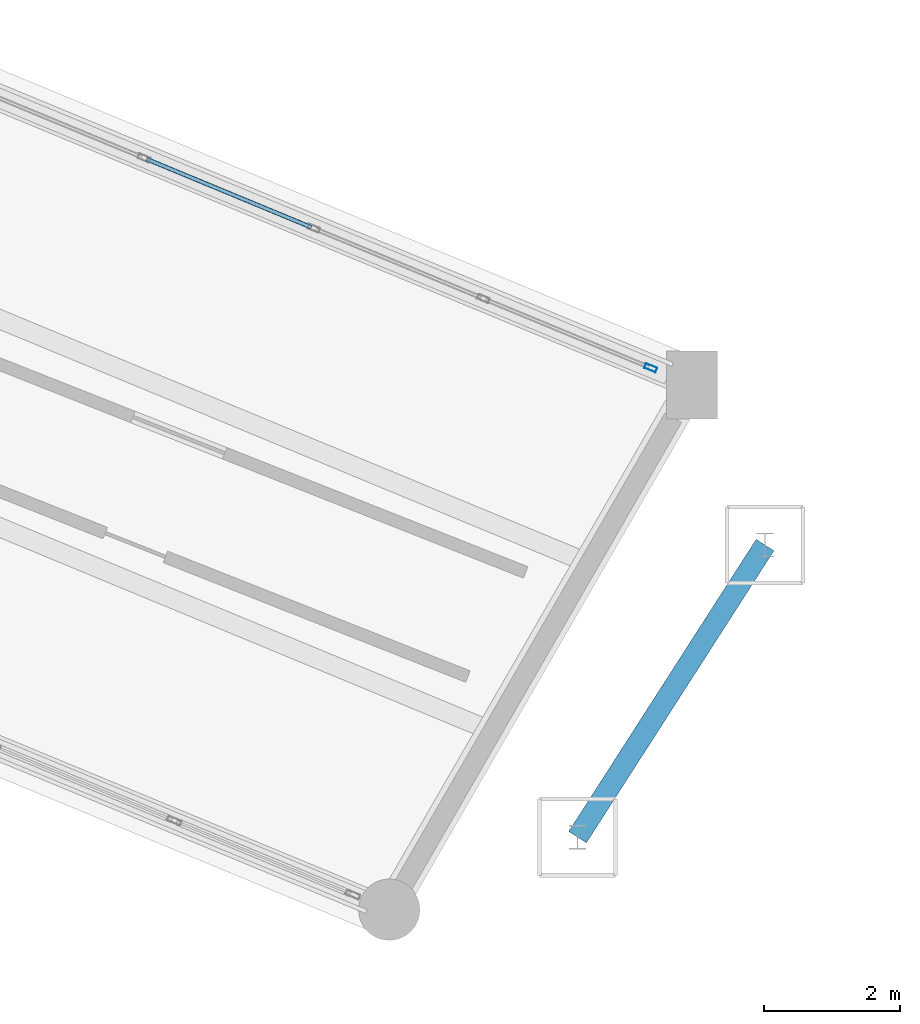
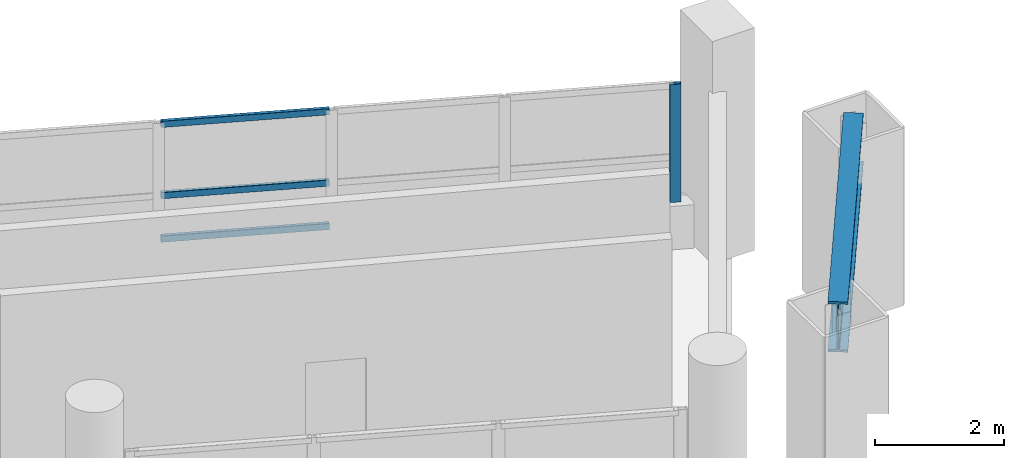
# One storey, part 72 of 128: 4 members, 1 beam, 1 element without a shape of its own.
"""IFC4 building model written with IfcOpenShell, lengths in metres."""

from ifc_helpers import new_model, si_unit, direction, frame, origin, origin_2d, place, context, subcontext, project, spatial, hollow_rectangle, i_section, extrude, material, layer, layer_set, material_profile, profile_set, type_object, element, aggregate, save


model = new_model("IFC4")

# Units and contexts
model_context = context("Model", 3, precision=1e-05, world=origin(), true_north=direction((0.0, 1.0)))
body_context = subcontext(model_context, "Body", "Model", "MODEL_VIEW")
ifc_project = project(units=[si_unit("LENGTHUNIT", "METRE"), si_unit("AREAUNIT", "SQUARE_METRE"), si_unit("VOLUMEUNIT", "CUBIC_METRE"), si_unit("PLANEANGLEUNIT", "RADIAN"), si_unit("MASSUNIT", "GRAM", prefix="KILO")], contexts=[model_context])

# Site, building, storey
site_placement = place(None, origin())
site = spatial("IfcSite", under=ifc_project, at=site_placement, CompositionType="ELEMENT")
building_placement = place(site_placement, origin())
building = spatial("IfcBuilding", under=site, at=building_placement, Name="Vespera Passage Community Centre", CompositionType="ELEMENT")
storey_placement = place(building_placement, frame((0.0, 0.0, 4.5)))
storey = spatial("IfcBuildingStorey", under=building, at=storey_placement, Name="L01", CompositionType="ELEMENT", Elevation=4.5)

# Curtain wall, members
ifc_material_1 = material(Name="Anodized aluminium 6063-T6", Category="aluminium")
ifc_layer = layer(ifc_material_1, 0.159912109375)
ifc_layer_set = layer_set([ifc_layer], Name="Anodized aluminium 6063-T6")
curtain_wall_type = type_object("IfcCurtainWallType", Name="CW-11E", PredefinedType="NOTDEFINED", material=ifc_layer_set)
curtain_wall_placement = place(storey_placement, origin())
curtain_wall = element("IfcCurtainWall", 1, at=curtain_wall_placement, inside=storey, type_object=curtain_wall_type, Name="V4 L01 Outer Ribbon Curtain Wall 4", PredefinedType="NOTDEFINED")
ifc_material_2 = material(Name="Anodized aluminium 6063-T6", Category="aluminium")
ifc_material_profile_1 = material_profile(ifc_material_2, hollow_rectangle(XDim=0.074951171875, YDim=0.179931640625, WallThickness=0.0048828125, InnerFilletRadius=0.00244140625, OuterFilletRadius=0.0048828125, at=origin_2d()), Name="ALU180X75X5")
ifc_profile_set_1 = profile_set([ifc_material_profile_1], Name="Anodized aluminium 6063-T6")
member_type_1 = type_object("IfcMemberType", Name="MB-CWM-180E", PredefinedType="MULLION", material=ifc_profile_set_1)
member_1_placement = place(storey_placement, frame((100.441650390625, 105.67578125, 0.820068359375), z_axis=(0.0, 0.0, 1.0), x_axis=(0.382682936255, 0.923879738007, 0.0)))
member_1 = element("IfcMember", 2, at=member_1_placement, type_object=member_type_1, Name="CW-11E mullion 5", PredefinedType="MULLION", context=body_context, shape_type="SweptSolid", body=[
    extrude(hollow_rectangle(XDim=0.074951171875, YDim=0.179931640625, WallThickness=0.0048828125, InnerFilletRadius=0.00244140625, OuterFilletRadius=0.0048828125, at=origin_2d()), origin(), (0.0, 0.0, 1.0), 2.2255859375),
])
ifc_material_3 = material(Name="Anodized aluminium 6063-T6", Category="aluminium")
ifc_material_profile_2 = material_profile(ifc_material_3, hollow_rectangle(XDim=0.06005859375, YDim=0.1201171875, WallThickness=0.00390625, InnerFilletRadius=0.001953125, OuterFilletRadius=0.00390625, at=origin_2d()), Name="ALU120X60X4")
ifc_profile_set_2 = profile_set([ifc_material_profile_2], Name="Anodized aluminium 6063-T6")
member_type_2 = type_object("IfcMemberType", Name="MB-CWT-120E", PredefinedType="USERDEFINED", material=ifc_profile_set_2)
member_2_placement = place(storey_placement, frame((93.03271484375, 108.74462890625, 0.85009765625), z_axis=(0.92389545334, -0.382644993822, 0.0), x_axis=(0.382644993822, 0.92389545334, 0.0)))
member_2 = element("IfcMember", 3, at=member_2_placement, type_object=member_type_2, Name="CW-11E transom 2.1", ObjectType="TRANSOM", PredefinedType="USERDEFINED", context=body_context, shape_type="SweptSolid", body=[
    extrude(hollow_rectangle(XDim=0.06005859375, YDim=0.1201171875, WallThickness=0.00390625, InnerFilletRadius=0.001953125, OuterFilletRadius=0.00390625, at=origin_2d()), origin(), (0.0, 0.0, 1.0), 2.623046875),
])
member_3_placement = place(storey_placement, frame((93.03271484375, 108.74462890625, 1.669921875), z_axis=(0.92389545334, -0.382644993822, 0.0), x_axis=(0.382644993822, 0.92389545334, 0.0)))
member_3 = element("IfcMember", 4, at=member_3_placement, type_object=member_type_2, Name="CW-11E transom 2.2", ObjectType="TRANSOM", PredefinedType="USERDEFINED", context=body_context, shape_type="SweptSolid", body=[
    extrude(hollow_rectangle(XDim=0.06005859375, YDim=0.1201171875, WallThickness=0.00390625, InnerFilletRadius=0.001953125, OuterFilletRadius=0.00390625, at=origin_2d()), origin(), (0.0, 0.0, 1.0), 2.623046875),
])
member_4_placement = place(storey_placement, frame((93.03271484375, 108.74462890625, 3.015625), z_axis=(0.92389545334, -0.382644993822, 0.0), x_axis=(0.382644993822, 0.92389545334, 0.0)))
member_4 = element("IfcMember", 5, at=member_4_placement, type_object=member_type_2, Name="CW-11E transom 2.3", ObjectType="TRANSOM", PredefinedType="USERDEFINED", context=body_context, shape_type="SweptSolid", body=[
    extrude(hollow_rectangle(XDim=0.06005859375, YDim=0.1201171875, WallThickness=0.00390625, InnerFilletRadius=0.001953125, OuterFilletRadius=0.00390625, at=origin_2d()), origin(), (0.0, 0.0, 1.0), 2.623046875),
])
aggregate(curtain_wall, [member_1, member_2, member_3, member_4])

# Beam
ifc_material_4 = material(Name="Steel ASTM A992 Grade 50", Category="steel")
ifc_material_profile_3 = material_profile(ifc_material_4, i_section(OverallWidth=0.310302734375, OverallDepth=0.950439453125, WebThickness=0.0244140625, FlangeThickness=0.0439453125, FilletRadius=0.024169921875, at=origin_2d()), Name="W36X256")
ifc_profile_set_3 = profile_set([ifc_material_profile_3], Name="Steel ASTM A992 Grade 50")
beam_type = type_object("IfcBeamType", Name="TG-256", PredefinedType="USERDEFINED", material=ifc_profile_set_3)
beam_placement = place(storey_placement, frame((102.12158203125, 103.073486328125, 3.0), z_axis=(-0.540222779988, -0.841522042482, 0.0), x_axis=(0.841522042482, -0.540222779988, 0.0)))
element("IfcBeam", 6, at=beam_placement, inside=storey, type_object=beam_type, Name="Pylon Truss Anchor Cap Girder 3", ObjectType="TRANSFER GIRDER", PredefinedType="USERDEFINED", context=body_context, shape_type="SweptSolid", body=[
    extrude(i_section(OverallWidth=0.310302734375, OverallDepth=0.950439453125, WebThickness=0.0244140625, FlangeThickness=0.0439453125, FilletRadius=0.024169921875, at=origin_2d()), origin(), (0.0, 0.0, 1.0), 5.10009765625),
])

save(model, "model.ifc")
